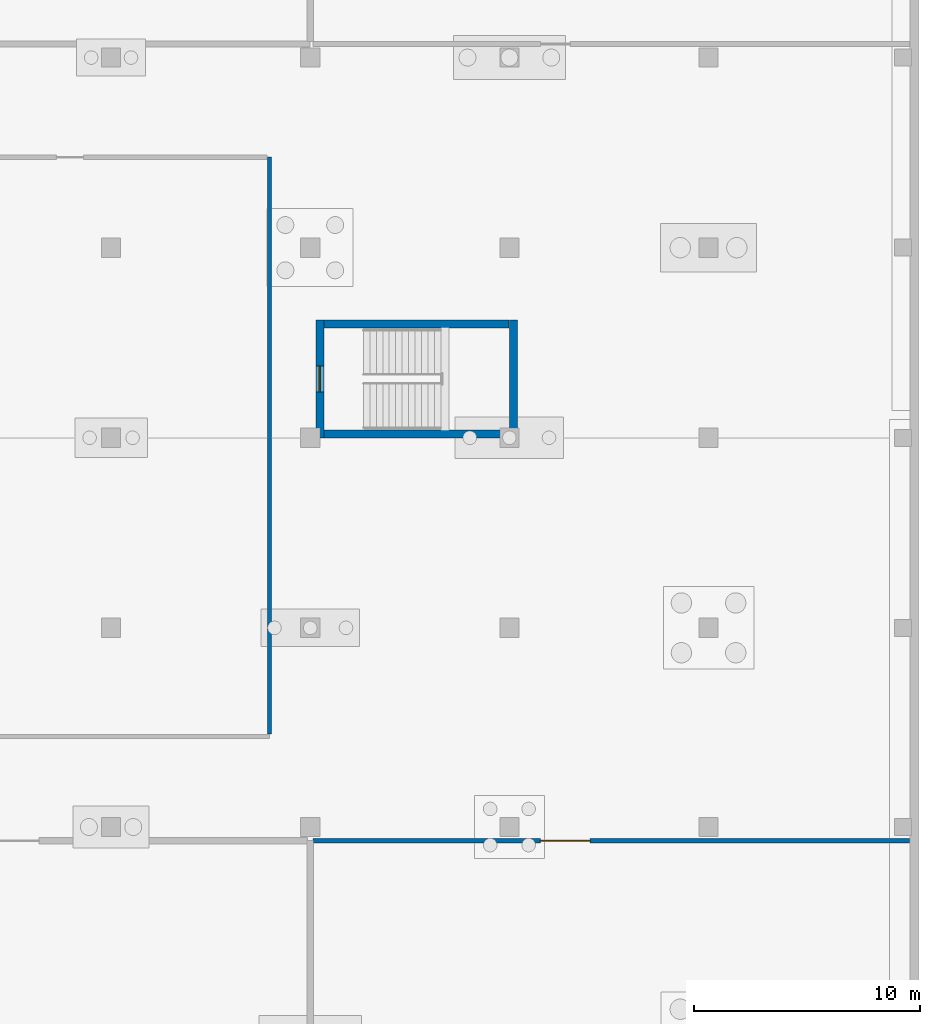
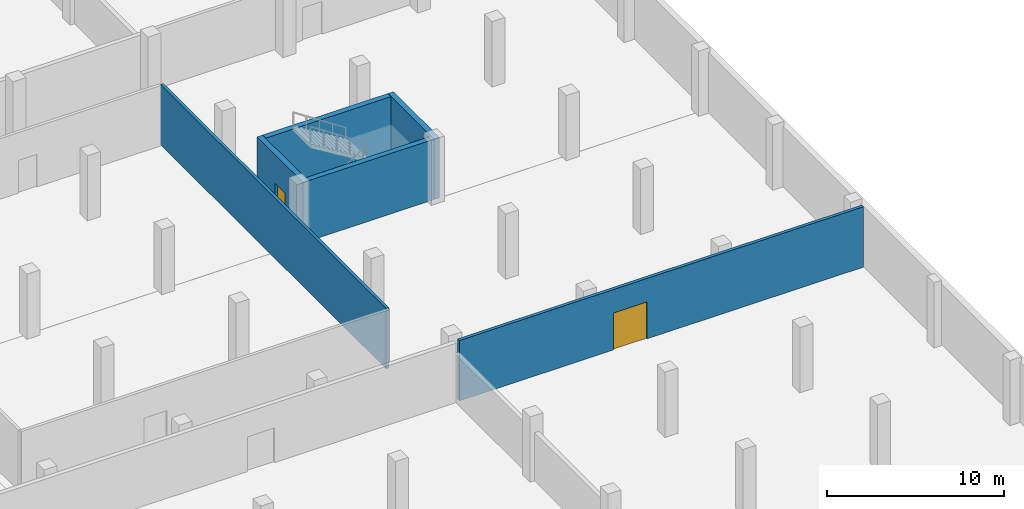
# One storey, part 23 of 29: 6 walls, 2 doors, 2 openings.
"""IFC4 building model written with IfcOpenShell, lengths in metres."""

from ifc_helpers import new_model, si_unit, direction, frame, frame_2d, origin, place, context, subcontext, project, spatial, rectangle, extrude, material, layer, layer_set, type_object, element, fill, save


model = new_model("IFC4")

# Units and contexts
model_context = context("Model", 3, precision=1e-05, world=origin(), true_north=direction((0.0, 1.0)))
body_context = subcontext(model_context, "Body", "Model", "MODEL_VIEW")
ifc_project = project(units=[si_unit("LENGTHUNIT", "METRE"), si_unit("AREAUNIT", "SQUARE_METRE"), si_unit("VOLUMEUNIT", "CUBIC_METRE"), si_unit("PLANEANGLEUNIT", "RADIAN"), si_unit("MASSUNIT", "GRAM", prefix="KILO")], contexts=[model_context])

# Site, building, storey
site_placement = place(None, origin())
site = spatial("IfcSite", under=ifc_project, at=site_placement, CompositionType="ELEMENT")
building_placement = place(site_placement, origin())
building = spatial("IfcBuilding", under=site, at=building_placement, Name="Meriwether Solvik Hall", CompositionType="ELEMENT")
storey_placement = place(building_placement, frame((0.0, 0.0, -9.0)))
storey = spatial("IfcBuildingStorey", under=building, at=storey_placement, Name="B02", CompositionType="ELEMENT", Elevation=-9.0)

# Wall
ifc_material_1 = material(Name="Grouted Concrete Masonry Unit Block", Category="masonry")
ifc_layer_1 = layer(ifc_material_1, 0.18994140625)
ifc_layer_set_1 = layer_set([ifc_layer_1], Name="Grouted Concrete Masonry Unit Block")
wall_type_1 = type_object("IfcWallType", Name="WALL-CMU-190", PredefinedType="STANDARD", material=ifc_layer_set_1)
wall_1_placement = place(storey_placement, frame((138.800048828125, 45.320068359375, 0.0), z_axis=(0.0, 0.0, 1.0), x_axis=(0.0, 1.0, 0.0)))
element("IfcWall", 1, at=wall_1_placement, inside=storey, type_object=wall_type_1, Name="B02 Interior Partition east_mnt_e", PredefinedType="STANDARD", context=body_context, shape_type="SweptSolid", body=[
    extrude(rectangle(XDim=25.47998046875, YDim=0.18994140625, at=frame_2d((12.739990234375, 0.0))), origin(), (0.0, 0.0, 1.0), 4.169921875),
])

# Wall, opening, door
ifc_material_2 = material(Name="Fire-Rated Type X Gypsum Board", Category="gypsum")
ifc_layer_2 = layer(ifc_material_2, 0.199951171875)
ifc_layer_set_2 = layer_set([ifc_layer_2], Name="Fire-Rated Type X Gypsum Board")
wall_type_2 = type_object("IfcWallType", Name="WALL-FIRE-200", PredefinedType="STANDARD", material=ifc_layer_set_2)
wall_2_placement = place(storey_placement, frame((140.719970703125, 40.60009765625, 0.0), z_axis=(0.0, 0.0, 1.0), x_axis=(1.0, 0.0, 0.0)))
wall_2 = element("IfcWall", 2, at=wall_2_placement, inside=storey, type_object=wall_type_2, Name="B02 Interior Partition gen_n", PredefinedType="STANDARD", context=body_context, shape_type="SweptSolid", body=[
    extrude(rectangle(XDim=26.360107421875, YDim=0.199951171875, at=frame_2d((13.18017578125, 0.0))), origin(), (0.0, 0.0, 1.0), 4.169921875),
])
opening_1_placement = place(wall_2_placement, frame((10.052001953125, 0.0, 0.0)))
opening_1 = element("IfcOpeningElement", 3, at=opening_1_placement, cuts=wall_2, Name="Opening D-153", PredefinedType="OPENING", context=body_context, shape_type="SweptSolid", body=[
    extrude(rectangle(XDim=2.199951171875, YDim=2.550048828125, at=frame_2d((1.10009765625, 1.27490234375))), frame((0.0, 0.11181640625, 0.0), z_axis=(0.0, -1.0, 0.0), x_axis=(1.0, 0.0, 0.0)), (0.0, 0.0, 1.0), 0.223876953125),
])
ifc_material_3 = material(Name="Steel A36 Galvanised", Category="steel")
door_type_1 = type_object("IfcDoorType", Name="DR-FD90-2200", OperationType="DOUBLE_DOOR_SINGLE_SWING", PredefinedType="DOOR", material=ifc_material_3)
door_1_placement = place(opening_1_placement, origin())
door_1 = element("IfcDoor", 4, at=door_1_placement, inside=storey, type_object=door_type_1, Name="Emergency Standby Generator Plant Door", OperationType="DOUBLE_DOOR_SINGLE_SWING", OverallHeight=2.550048828125, OverallWidth=2.199951171875, PredefinedType="DOOR", context=body_context, shape_type="SweptSolid", body=[
    extrude(rectangle(XDim=2.199951171875, YDim=2.550048828125, at=frame_2d((1.10009765625, 1.27490234375))), frame((0.0, 0.02490234375, 0.0), z_axis=(0.0, -1.0, 0.0), x_axis=(1.0, 0.0, 0.0)), (0.0, 0.0, 1.0), 0.050048828125),
])
fill(opening_1, door_1)

ifc_material_4 = material(Name="Concrete C40/50", Category="concrete")
ifc_layer_3 = layer(ifc_material_4, 0.35009765625)
ifc_layer_set_3 = layer_set([ifc_layer_3], Name="Concrete C40/50")
wall_type_3 = type_object("IfcWallType", Name="WALL-RC-350", PredefinedType="SHEAR", material=ifc_layer_set_3)
wall_3_placement = place(storey_placement, frame((141.02490234375, 63.60009765625, 0.0), z_axis=(0.0, 0.0, 1.0), x_axis=(0.0, -1.0, 0.0)))
wall_3 = element("IfcWall", 5, at=wall_3_placement, inside=storey, type_object=wall_type_3, Name="CORE-5 Shear Wall W (B02)", PredefinedType="SHEAR", context=body_context, shape_type="SweptSolid", body=[
    extrude(rectangle(XDim=5.2001953125, YDim=0.35009765625, at=frame_2d((2.60009765625, 0.0))), origin(), (0.0, 0.0, 1.0), 4.169921875),
])
opening_2_placement = place(wall_3_placement, frame((2.02490234375, 0.0, 0.0)))
opening_2 = element("IfcOpeningElement", 6, at=opening_2_placement, cuts=wall_3, Name="Opening D-148", PredefinedType="OPENING", context=body_context, shape_type="SweptSolid", body=[
    extrude(rectangle(XDim=1.14990234375, YDim=2.199951171875, at=frame_2d((0.574951171875, 1.10009765625))), frame((0.0, 0.18701171875, 0.0), z_axis=(0.0, -1.0, 0.0), x_axis=(1.0, 0.0, 0.0)), (0.0, 0.0, 1.0), 0.3740234375),
])
ifc_material_5 = material(Name="Steel A36 Galvanised", Category="steel")
door_type_2 = type_object("IfcDoorType", Name="DR-FD90-1150R", OperationType="SINGLE_SWING_RIGHT", PredefinedType="DOOR", material=ifc_material_5)
door_2_placement = place(opening_2_placement, origin())
door_2 = element("IfcDoor", 7, at=door_2_placement, inside=storey, type_object=door_type_2, Name="Stair ST-05 Smokeproof Exit Door (B02)", OperationType="SINGLE_SWING_RIGHT", OverallHeight=2.199951171875, OverallWidth=1.14990234375, PredefinedType="DOOR", context=body_context, shape_type="SweptSolid", body=[
    extrude(rectangle(XDim=1.14990234375, YDim=2.199951171875, at=frame_2d((0.574951171875, 1.10009765625))), frame((0.0, 0.02490234375, 0.0), z_axis=(0.0, -1.0, 0.0), x_axis=(1.0, 0.0, 0.0)), (0.0, 0.0, 1.0), 0.050048828125),
])
fill(opening_2, door_2)

# Walls
wall_4_placement = place(storey_placement, frame((149.574951171875, 58.39990234375, 0.0), z_axis=(0.0, 0.0, 1.0), x_axis=(0.0, 1.0, 0.0)))
element("IfcWall", 8, at=wall_4_placement, inside=storey, type_object=wall_type_3, Name="CORE-5 Shear Wall E (B02)", PredefinedType="SHEAR", context=body_context, shape_type="SweptSolid", body=[
    extrude(rectangle(XDim=5.2001953125, YDim=0.35009765625, at=frame_2d((2.60009765625, 0.0))), origin(), (0.0, 0.0, 1.0), 4.169921875),
])
for number, where, z_axis, x_axis, name in (
    (9, (141.2099609375, 58.574951171875, 0.0), (0.0, 0.0, 1.0), (1.0, 0.0, 0.0), "CORE-5 Shear Wall S (B02)"),
    (10, (149.389892578125, 63.425048828125, 0.0), (0.0, 0.0, 1.0), (-1.0, 0.0, 0.0), "CORE-5 Shear Wall N (B02)"),
):
    element("IfcWall", number, at=place(storey_placement, frame(where, z_axis=z_axis, x_axis=x_axis)), inside=storey, type_object=wall_type_3, Name=name, PredefinedType="SHEAR", context=body_context, shape_type="SweptSolid", body=[
        extrude(rectangle(XDim=8.179931640625, YDim=0.35009765625, at=frame_2d((4.08984375, 0.0))), origin(), (0.0, 0.0, 1.0), 4.169921875),
    ])

save(model, "model.ifc")
